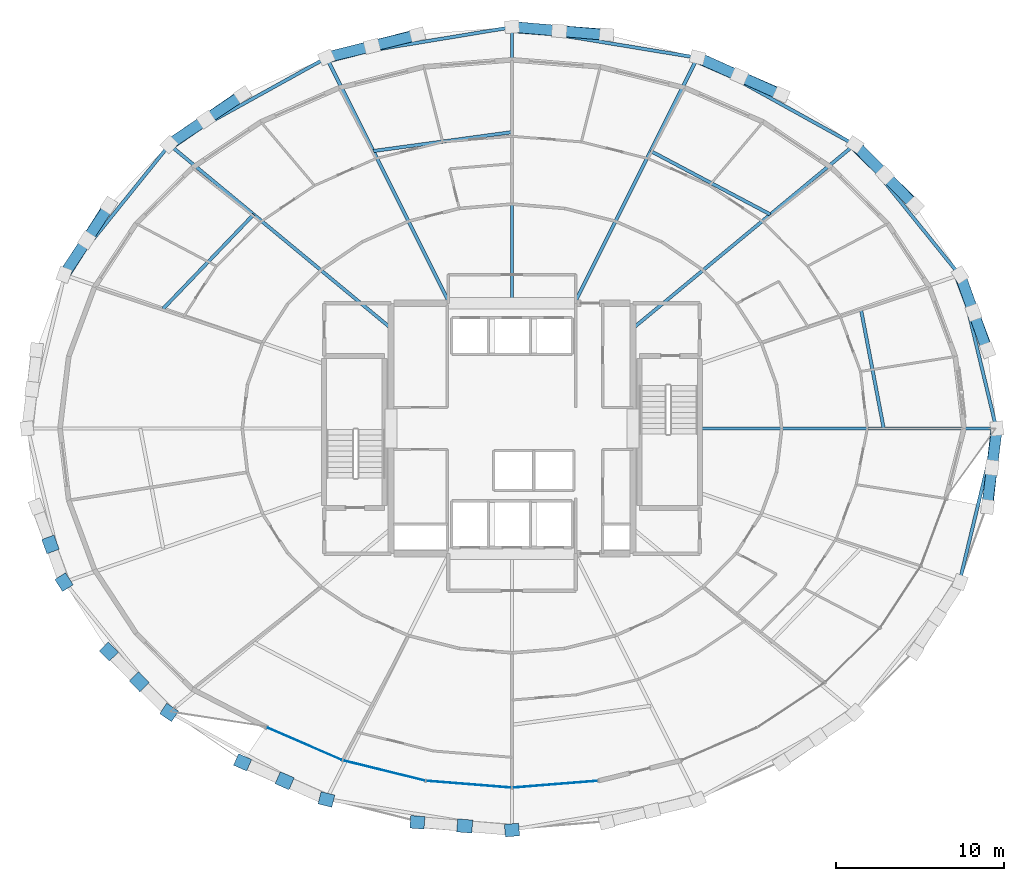
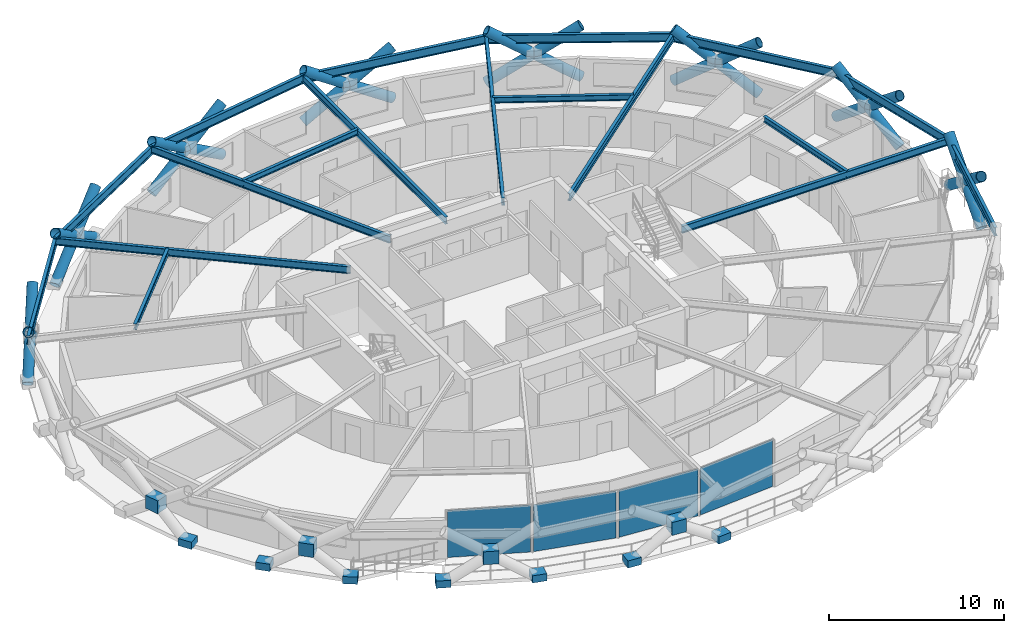
# One storey, part 12 of 21: 24 members, 18 beams, 15 plates, 1 element without a shape of its own.
"""IFC4 building model written with IfcOpenShell, lengths in metres."""

from ifc_helpers import new_model, si_unit, direction, frame, origin, origin_2d, place, context, subcontext, project, spatial, rectangle, hollow_circle, i_section, extrude, material, layer, layer_set, material_profile, profile_set, type_object, element, aggregate, save


model = new_model("IFC4")

# Units and contexts
model_context = context("Model", 3, precision=1e-05, world=origin(), true_north=direction((0.0, 1.0)))
body_context = subcontext(model_context, "Body", "Model", "MODEL_VIEW")
ifc_project = project(units=[si_unit("LENGTHUNIT", "METRE"), si_unit("AREAUNIT", "SQUARE_METRE"), si_unit("VOLUMEUNIT", "CUBIC_METRE"), si_unit("PLANEANGLEUNIT", "RADIAN"), si_unit("MASSUNIT", "GRAM", prefix="KILO")], contexts=[model_context])

# Site, building, storey
site_placement = place(None, origin())
site = spatial("IfcSite", under=ifc_project, at=site_placement, CompositionType="ELEMENT")
building_placement = place(site_placement, origin())
building = spatial("IfcBuilding", under=site, at=building_placement, Name="Veldorina Hangang Commons", CompositionType="ELEMENT")
storey_placement = place(building_placement, frame((0.0, 0.0, 98.800048828125)))
storey = spatial("IfcBuildingStorey", under=building, at=storey_placement, Name="L25", CompositionType="ELEMENT", Elevation=98.800048828125)

# Beams
ifc_material_1 = material(Name="Steel SM420-TMC", Category="steel")
ifc_material_profile_1 = material_profile(ifc_material_1, i_section(OverallWidth=0.199951171875, OverallDepth=0.5, WebThickness=0.010009765625, FlangeThickness=0.01611328125, FilletRadius=0.01611328125, at=origin_2d()), Name="H-500x200x10x16")
ifc_profile_set_1 = profile_set([ifc_material_profile_1], Name="Steel SM420-TMC")
beam_type_1 = type_object("IfcBeamType", Name="BM-FG500", PredefinedType="BEAM", material=ifc_profile_set_1)
beam_1_placement = place(storey_placement, frame((43.179931640625, 24.0, 3.08984375), z_axis=(1.0, 0.0, 0.0), x_axis=(0.0, 1.0, 0.0)))
element("IfcBeam", 1, at=beam_1_placement, inside=storey, type_object=beam_type_1, Name="L25 radial floor girder 01", PredefinedType="BEAM", context=body_context, shape_type="SweptSolid", body=[
    extrude(i_section(OverallWidth=0.199951171875, OverallDepth=0.5, WebThickness=0.010009765625, FlangeThickness=0.01611328125, FilletRadius=0.01611328125, at=origin_2d()), origin(), (0.0, 0.0, 1.0), 17.645263671875),
])
beam_2_placement = place(storey_placement, frame((39.199951171875, 29.964111328125, 3.08984375), z_axis=(0.77009662976, 0.637927253559, 0.0), x_axis=(-0.637927253559, 0.77009662976, 0.0)))
element("IfcBeam", 2, at=beam_2_placement, inside=storey, type_object=beam_type_1, Name="L25 radial floor girder 03", PredefinedType="BEAM", context=body_context, shape_type="SweptSolid", body=[
    extrude(i_section(OverallWidth=0.199951171875, OverallDepth=0.5, WebThickness=0.010009765625, FlangeThickness=0.01611328125, FilletRadius=0.01611328125, at=origin_2d()), origin(), (0.0, 0.0, 1.0), 17.117919921875),
])
beam_3_placement = place(storey_placement, frame((35.725341796875, 31.449951171875, 3.08984375), z_axis=(0.447243487209, 0.894412244521, 0.0), x_axis=(-0.894412244521, 0.447243487209, 0.0)))
element("IfcBeam", 3, at=beam_3_placement, inside=storey, type_object=beam_type_1, Name="L25 radial floor girder 04", PredefinedType="BEAM", context=body_context, shape_type="SweptSolid", body=[
    extrude(i_section(OverallWidth=0.199951171875, OverallDepth=0.5, WebThickness=0.010009765625, FlangeThickness=0.01611328125, FilletRadius=0.01611328125, at=origin_2d()), origin(), (0.0, 0.0, 1.0), 16.3349609375),
])
beam_4_placement = place(storey_placement, frame((32.0, 31.449951171875, 3.08984375), z_axis=(0.0, 1.0, 0.0), x_axis=(-1.0, 0.0, 0.0)))
element("IfcBeam", 4, at=beam_4_placement, inside=storey, type_object=beam_type_1, Name="L25 radial floor girder 05", PredefinedType="BEAM", context=body_context, shape_type="SweptSolid", body=[
    extrude(i_section(OverallWidth=0.199951171875, OverallDepth=0.5, WebThickness=0.010009765625, FlangeThickness=0.01611328125, FilletRadius=0.01611328125, at=origin_2d()), origin(), (0.0, 0.0, 1.0), 16.427734375),
])
beam_5_placement = place(storey_placement, frame((28.274658203125, 31.449951171875, 3.08984375), z_axis=(-0.447243487209, 0.894412244521, 0.0), x_axis=(-0.894412244521, -0.447243487209, 0.0)))
element("IfcBeam", 5, at=beam_5_placement, inside=storey, type_object=beam_type_1, Name="L25 radial floor girder 06", PredefinedType="BEAM", context=body_context, shape_type="SweptSolid", body=[
    extrude(i_section(OverallWidth=0.199951171875, OverallDepth=0.5, WebThickness=0.010009765625, FlangeThickness=0.01611328125, FilletRadius=0.01611328125, at=origin_2d()), origin(), (0.0, 0.0, 1.0), 16.3349609375),
])
beam_6_placement = place(storey_placement, frame((24.800048828125, 29.964111328125, 3.08984375), z_axis=(-0.77009662976, 0.637927253559, 0.0), x_axis=(-0.637927253559, -0.77009662976, 0.0)))
element("IfcBeam", 6, at=beam_6_placement, inside=storey, type_object=beam_type_1, Name="L25 radial floor girder 07", PredefinedType="BEAM", context=body_context, shape_type="SweptSolid", body=[
    extrude(i_section(OverallWidth=0.199951171875, OverallDepth=0.5, WebThickness=0.010009765625, FlangeThickness=0.01611328125, FilletRadius=0.01611328125, at=origin_2d()), origin(), (0.0, 0.0, 1.0), 17.117919921875),
])
ifc_material_2 = material(Name="Steel SM355-TMC", Category="steel")
ifc_material_profile_2 = material_profile(ifc_material_2, i_section(OverallWidth=0.199951171875, OverallDepth=0.39990234375, WebThickness=0.008056640625, FlangeThickness=0.012939453125, FilletRadius=0.012939453125, at=origin_2d()), Name="H-400x200x8x13")
ifc_profile_set_2 = profile_set([ifc_material_profile_2], Name="Steel SM355-TMC")
beam_type_2 = type_object("IfcBeamType", Name="BM-JST400", PredefinedType="JOIST", material=ifc_profile_set_2)
beam_7_placement = place(storey_placement, frame((54.1201171875, 24.0, 3.139892578125), z_axis=(-0.187621051992, 0.982241488051, 0.0), x_axis=(-0.982241488051, -0.187621051992, 0.0)))
element("IfcBeam", 7, at=beam_7_placement, inside=storey, type_object=beam_type_2, Name="L25 secondary floor joist 01", PredefinedType="JOIST", context=body_context, shape_type="SweptSolid", body=[
    extrude(i_section(OverallWidth=0.199951171875, OverallDepth=0.39990234375, WebThickness=0.008056640625, FlangeThickness=0.012939453125, FilletRadius=0.012939453125, at=origin_2d()), origin(), (0.0, 0.0, 1.0), 7.251708984375),
])
beam_8_placement = place(storey_placement, frame((47.373046875, 36.734619140625, 3.139892578125), z_axis=(-0.88351872738, 0.468395835132, 0.0), x_axis=(-0.468395835132, -0.88351872738, 0.0)))
element("IfcBeam", 8, at=beam_8_placement, inside=storey, type_object=beam_type_2, Name="L25 secondary floor joist 03", PredefinedType="JOIST", context=body_context, shape_type="SweptSolid", body=[
    extrude(i_section(OverallWidth=0.199951171875, OverallDepth=0.39990234375, WebThickness=0.008056640625, FlangeThickness=0.012939453125, FilletRadius=0.012939453125, at=origin_2d()), origin(), (0.0, 0.0, 1.0), 8.056640625),
])
beam_9_placement = place(storey_placement, frame((32.0, 41.635009765625, 3.139892578125), z_axis=(-0.990813398521, -0.135236124281, 0.0), x_axis=(0.135236124281, -0.990813398521, 0.0)))
element("IfcBeam", 9, at=beam_9_placement, inside=storey, type_object=beam_type_2, Name="L25 secondary floor joist 05", PredefinedType="JOIST", context=body_context, shape_type="SweptSolid", body=[
    extrude(i_section(OverallWidth=0.199951171875, OverallDepth=0.39990234375, WebThickness=0.008056640625, FlangeThickness=0.012939453125, FilletRadius=0.012939453125, at=origin_2d()), origin(), (0.0, 0.0, 1.0), 8.331298828125),
])
beam_10_placement = place(storey_placement, frame((16.626953125, 36.734619140625, 3.139892578125), z_axis=(-0.692489359274, -0.721428088788, 0.0), x_axis=(0.721428088788, -0.692489359274, 0.0)))
element("IfcBeam", 10, at=beam_10_placement, inside=storey, type_object=beam_type_2, Name="L25 secondary floor joist 07", PredefinedType="JOIST", context=body_context, shape_type="SweptSolid", body=[
    extrude(i_section(OverallWidth=0.199951171875, OverallDepth=0.39990234375, WebThickness=0.008056640625, FlangeThickness=0.012939453125, FilletRadius=0.012939453125, at=origin_2d()), origin(), (0.0, 0.0, 1.0), 7.7783203125),
])
ifc_material_profile_3 = material_profile(ifc_material_1, i_section(OverallWidth=0.199951171875, OverallDepth=0.60009765625, WebThickness=0.010986328125, FlangeThickness=0.01708984375, FilletRadius=0.01806640625, at=origin_2d()), Name="H-600x200x11x17")
ifc_profile_set_3 = profile_set([ifc_material_profile_3], Name="Steel SM420-TMC")
beam_type_3 = type_object("IfcBeamType", Name="BM-RB600", PredefinedType="BEAM", material=ifc_profile_set_3)
beam_11_placement = place(storey_placement, frame((60.8251953125, 24.0, 3.0400390625), z_axis=(-0.233502650774, 0.972356165241, 0.0), x_axis=(-0.972356165241, -0.233502650774, 0.0)))
element("IfcBeam", 11, at=beam_11_placement, inside=storey, type_object=beam_type_3, Name="L25 perimeter hoop ring beam 00", PredefinedType="BEAM", context=body_context, shape_type="SweptSolid", body=[
    extrude(i_section(OverallWidth=0.199951171875, OverallDepth=0.60009765625, WebThickness=0.010986328125, FlangeThickness=0.01708984375, FilletRadius=0.01806640625, at=origin_2d()), origin(), (0.0, 0.0, 1.0), 9.3974609375),
])
beam_12_placement = place(storey_placement, frame((58.630859375, 33.1376953125, 3.0400390625), z_axis=(-0.627843068855, 0.778339952008, 0.0), x_axis=(-0.778339952008, -0.627843068855, 0.0)))
element("IfcBeam", 12, at=beam_12_placement, inside=storey, type_object=beam_type_3, Name="L25 perimeter hoop ring beam 02", PredefinedType="BEAM", context=body_context, shape_type="SweptSolid", body=[
    extrude(i_section(OverallWidth=0.199951171875, OverallDepth=0.60009765625, WebThickness=0.010986328125, FlangeThickness=0.01708984375, FilletRadius=0.01806640625, at=origin_2d()), origin(), (0.0, 0.0, 1.0), 9.952392578125),
])
beam_13_placement = place(storey_placement, frame((52.38232421875, 40.884033203125, 3.0400390625), z_axis=(-0.874916885273, 0.484273108756, 0.0), x_axis=(-0.484273108756, -0.874916885273, 0.0)))
element("IfcBeam", 13, at=beam_13_placement, inside=storey, type_object=beam_type_3, Name="L25 perimeter hoop ring beam 04", PredefinedType="BEAM", context=body_context, shape_type="SweptSolid", body=[
    extrude(i_section(OverallWidth=0.199951171875, OverallDepth=0.60009765625, WebThickness=0.010986328125, FlangeThickness=0.01708984375, FilletRadius=0.01806640625, at=origin_2d()), origin(), (0.0, 0.0, 1.0), 10.688232421875),
])
for number, where, z_axis, x_axis, name in (
    (14, (43.031005859375, 46.06005859375, 3.0400390625), (-0.986695028377, 0.162582043828, 0.0), (-0.162582043828, -0.986695028377, 0.0), "L25 perimeter hoop ring beam 06"),
    (15, (32.0, 47.877685546875, 3.0400390625), (-0.986695028377, -0.162582043828, 0.0), (0.162582043828, -0.986695028377, 0.0), "L25 perimeter hoop ring beam 08"),
):
    element("IfcBeam", number, at=place(storey_placement, frame(where, z_axis=z_axis, x_axis=x_axis)), inside=storey, type_object=beam_type_3, Name=name, PredefinedType="BEAM", context=body_context, shape_type="SweptSolid", body=[
        extrude(i_section(OverallWidth=0.199951171875, OverallDepth=0.60009765625, WebThickness=0.010986328125, FlangeThickness=0.01708984375, FilletRadius=0.01806640625, at=origin_2d()), origin(), (0.0, 0.0, 1.0), 11.1796875),
    ])
beam_14_placement = place(storey_placement, frame((20.968994140625, 46.06005859375, 3.0400390625), z_axis=(-0.874916885273, -0.484273108756, 0.0), x_axis=(0.484273108756, -0.874916885273, 0.0)))
element("IfcBeam", 16, at=beam_14_placement, inside=storey, type_object=beam_type_3, Name="L25 perimeter hoop ring beam 10", PredefinedType="BEAM", context=body_context, shape_type="SweptSolid", body=[
    extrude(i_section(OverallWidth=0.199951171875, OverallDepth=0.60009765625, WebThickness=0.010986328125, FlangeThickness=0.01708984375, FilletRadius=0.01806640625, at=origin_2d()), origin(), (0.0, 0.0, 1.0), 10.688232421875),
])
beam_15_placement = place(storey_placement, frame((11.61767578125, 40.884033203125, 3.0400390625), z_axis=(-0.627843068855, -0.778339952008, 0.0), x_axis=(0.778339952008, -0.627843068855, 0.0)))
element("IfcBeam", 17, at=beam_15_placement, inside=storey, type_object=beam_type_3, Name="L25 perimeter hoop ring beam 12", PredefinedType="BEAM", context=body_context, shape_type="SweptSolid", body=[
    extrude(i_section(OverallWidth=0.199951171875, OverallDepth=0.60009765625, WebThickness=0.010986328125, FlangeThickness=0.01708984375, FilletRadius=0.01806640625, at=origin_2d()), origin(), (0.0, 0.0, 1.0), 9.952392578125),
])
beam_16_placement = place(storey_placement, frame((58.630859375, 14.8623046875, 3.0400390625), z_axis=(0.233502650774, 0.972356165241, 0.0), x_axis=(-0.972356165241, 0.233502650774, 0.0)))
element("IfcBeam", 18, at=beam_16_placement, inside=storey, type_object=beam_type_3, Name="L25 perimeter hoop ring beam 30", PredefinedType="BEAM", context=body_context, shape_type="SweptSolid", body=[
    extrude(i_section(OverallWidth=0.199951171875, OverallDepth=0.60009765625, WebThickness=0.010986328125, FlangeThickness=0.01708984375, FilletRadius=0.01806640625, at=origin_2d()), origin(), (0.0, 0.0, 1.0), 9.3974609375),
])

# Members
ifc_material_3 = material(Name="Steel SM460-TMC", Category="steel")
ifc_material_profile_4 = material_profile(ifc_material_3, hollow_circle(Radius=0.324951171875, WallThickness=0.031982421875, at=origin_2d()), Name="CHS-650x32")
ifc_profile_set_4 = profile_set([ifc_material_profile_4], Name="Steel SM460-TMC")
member_type = type_object("IfcMemberType", Name="DG-CHS650", PredefinedType="BRACE", material=ifc_profile_set_4)
member_1_placement = place(storey_placement, frame((60.300537109375, 28.662353515625, 0.0), z_axis=(-0.28000149249, 0.747922353992, 0.601839942677), x_axis=(-0.936522270003, -0.350608097152, 0.0)))
element("IfcMember", 19, at=member_1_placement, inside=storey, type_object=member_type, Name="L25 continuous perimeter diagrid brace 01", PredefinedType="BRACE", context=body_context, shape_type="SweptSolid", body=[
    extrude(hollow_circle(Radius=0.324951171875, WallThickness=0.031982421875, at=origin_2d()), origin(), (0.0, 0.0, 1.0), 5.9814453125),
])
member_2_placement = place(storey_placement, frame((58.658447265625, 33.1455078125, 0.0), z_axis=(0.269176017376, -0.751242080665, 0.602643848311), x_axis=(0.941393999899, 0.337308963644, 0.0)))
element("IfcMember", 20, at=member_2_placement, inside=storey, type_object=member_type, Name="L25 split perimeter diagrid lower brace 02", PredefinedType="BRACE", context=body_context, shape_type="SweptSolid", body=[
    extrude(hollow_circle(Radius=0.324951171875, WallThickness=0.031982421875, at=origin_2d()), origin(), (0.0, 0.0, 1.0), 2.988525390625),
])
member_3_placement = place(storey_placement, frame((59.462890625, 30.900390625, 1.801025390625), z_axis=(0.26898910338, -0.751353874355, 0.602587933629), x_axis=(0.941484276479, 0.337056904903, 0.0)))
element("IfcMember", 21, at=member_3_placement, inside=storey, type_object=member_type, Name="L25 split perimeter diagrid upper brace 02", PredefinedType="BRACE", context=body_context, shape_type="SweptSolid", body=[
    extrude(hollow_circle(Radius=0.324951171875, WallThickness=0.031982421875, at=origin_2d()), origin(), (0.0, 0.0, 1.0), 2.985107421875),
])
member_4_placement = place(storey_placement, frame((55.9921875, 37.27734375, 0.0), z_axis=(-0.578613430818, 0.577049822033, 0.5763852883), x_axis=(-0.706149421574, -0.708062846371, 0.0)))
element("IfcMember", 22, at=member_4_placement, inside=storey, type_object=member_type, Name="L25 continuous perimeter diagrid brace 03", PredefinedType="BRACE", context=body_context, shape_type="SweptSolid", body=[
    extrude(hollow_circle(Radius=0.324951171875, WallThickness=0.031982421875, at=origin_2d()), origin(), (0.0, 0.0, 1.0), 6.24560546875),
])
member_5_placement = place(storey_placement, frame((52.403564453125, 40.898681640625, 0.0), z_axis=(0.57114328786, -0.58320197532, 0.577642450582), x_axis=(0.71445447996, 0.699681924924, 0.0)))
element("IfcMember", 23, at=member_5_placement, inside=storey, type_object=member_type, Name="L25 split perimeter diagrid lower brace 04", PredefinedType="BRACE", context=body_context, shape_type="SweptSolid", body=[
    extrude(hollow_circle(Radius=0.324951171875, WallThickness=0.031982421875, at=origin_2d()), origin(), (0.0, 0.0, 1.0), 3.117919921875),
])
member_6_placement = place(storey_placement, frame((54.184326171875, 39.080322265625, 1.801025390625), z_axis=(0.571004506302, -0.583390381096, 0.577589401762), x_axis=(0.714652424111, 0.699479744319, 0.0)))
element("IfcMember", 24, at=member_6_placement, inside=storey, type_object=member_type, Name="L25 split perimeter diagrid upper brace 04", PredefinedType="BRACE", context=body_context, shape_type="SweptSolid", body=[
    extrude(hollow_circle(Radius=0.324951171875, WallThickness=0.031982421875, at=origin_2d()), origin(), (0.0, 0.0, 1.0), 3.1142578125),
])
member_7_placement = place(storey_placement, frame((48.031005859375, 43.870849609375, 0.0), z_axis=(-0.764987730246, 0.334236427408, 0.550526823294), x_axis=(-0.40037066467, -0.91635327842, 0.0)))
element("IfcMember", 25, at=member_7_placement, inside=storey, type_object=member_type, Name="L25 continuous perimeter diagrid brace 05", PredefinedType="BRACE", context=body_context, shape_type="SweptSolid", body=[
    extrude(hollow_circle(Radius=0.324951171875, WallThickness=0.031982421875, at=origin_2d()), origin(), (0.0, 0.0, 1.0), 6.538818359375),
])
member_8_placement = place(storey_placement, frame((43.042236328125, 46.079345703125, 0.0), z_axis=(0.761174589321, -0.34138115972, 0.551427373605), x_axis=(0.409220555506, 0.91243549742, 0.0)))
element("IfcMember", 26, at=member_8_placement, inside=storey, type_object=member_type, Name="L25 split perimeter diagrid lower brace 06", PredefinedType="BRACE", context=body_context, shape_type="SweptSolid", body=[
    extrude(hollow_circle(Radius=0.324951171875, WallThickness=0.031982421875, at=origin_2d()), origin(), (0.0, 0.0, 1.0), 3.26611328125),
])
member_9_placement = place(storey_placement, frame((45.5283203125, 44.96435546875, 1.801025390625), z_axis=(0.761125864052, -0.341496294756, 0.551423339856), x_axis=(0.409357261843, 0.912374173339, 0.0)))
element("IfcMember", 27, at=member_9_placement, inside=storey, type_object=member_type, Name="L25 split perimeter diagrid upper brace 06", PredefinedType="BRACE", context=body_context, shape_type="SweptSolid", body=[
    extrude(hollow_circle(Radius=0.324951171875, WallThickness=0.031982421875, at=origin_2d()), origin(), (0.0, 0.0, 1.0), 3.26220703125),
])
member_10_placement = place(storey_placement, frame((37.62939453125, 47.439208984375, 0.0), z_axis=(-0.84069633522, 0.064898927777, 0.537603758471), x_axis=(-0.076967637826, -0.997033591574, 0.0)))
element("IfcMember", 28, at=member_10_placement, inside=storey, type_object=member_type, Name="L25 continuous perimeter diagrid brace 07", PredefinedType="BRACE", context=body_context, shape_type="SweptSolid", body=[
    extrude(hollow_circle(Radius=0.324951171875, WallThickness=0.031982421875, at=origin_2d()), origin(), (0.0, 0.0, 1.0), 6.696044921875),
])
member_11_placement = place(storey_placement, frame((32.0, 47.8984375, 0.0), z_axis=(0.839973772722, -0.072245617841, 0.537796087604), x_axis=(0.085692995625, 0.9963215899, 0.0)))
element("IfcMember", 29, at=member_11_placement, inside=storey, type_object=member_type, Name="L25 split perimeter diagrid lower brace 08", PredefinedType="BRACE", context=body_context, shape_type="SweptSolid", body=[
    extrude(hollow_circle(Radius=0.324951171875, WallThickness=0.031982421875, at=origin_2d()), origin(), (0.0, 0.0, 1.0), 3.348876953125),
])
member_12_placement = place(storey_placement, frame((34.81298828125, 47.656494140625, 1.801025390625), z_axis=(0.83995700534, -0.072192359284, 0.537829426901), x_axis=(0.085631984044, 0.996326835586, 0.0)))
element("IfcMember", 30, at=member_12_placement, inside=storey, type_object=member_type, Name="L25 split perimeter diagrid upper brace 08", PredefinedType="BRACE", context=body_context, shape_type="SweptSolid", body=[
    extrude(hollow_circle(Radius=0.324951171875, WallThickness=0.031982421875, at=origin_2d()), origin(), (0.0, 0.0, 1.0), 3.3447265625),
])
member_13_placement = place(storey_placement, frame((26.37060546875, 47.439208984375, 0.0), z_axis=(-0.813763107309, -0.20840813166, 0.542545533427), x_axis=(0.248097122806, -0.968735163838, 0.0)))
element("IfcMember", 31, at=member_13_placement, inside=storey, type_object=member_type, Name="L25 continuous perimeter diagrid brace 09", PredefinedType="BRACE", context=body_context, shape_type="SweptSolid", body=[
    extrude(hollow_circle(Radius=0.324951171875, WallThickness=0.031982421875, at=origin_2d()), origin(), (0.0, 0.0, 1.0), 6.635009765625),
])
member_14_placement = place(storey_placement, frame((20.957763671875, 46.079345703125, 0.0), z_axis=(0.81598027684, 0.201019452317, 0.542003106631), x_axis=(-0.239201663176, 0.970969909077, 0.0)))
element("IfcMember", 32, at=member_14_placement, inside=storey, type_object=member_type, Name="L25 split perimeter diagrid lower brace 10", PredefinedType="BRACE", context=body_context, shape_type="SweptSolid", body=[
    extrude(hollow_circle(Radius=0.324951171875, WallThickness=0.031982421875, at=origin_2d()), origin(), (0.0, 0.0, 1.0), 3.322998046875),
])
member_15_placement = place(storey_placement, frame((23.669189453125, 46.747314453125, 1.801025390625), z_axis=(0.815990143337, 0.201165769067, 0.541933962151), x_axis=(-0.239363070997, 0.970930131494, 0.0)))
element("IfcMember", 33, at=member_15_placement, inside=storey, type_object=member_type, Name="L25 split perimeter diagrid upper brace 10", PredefinedType="BRACE", context=body_context, shape_type="SweptSolid", body=[
    extrude(hollow_circle(Radius=0.324951171875, WallThickness=0.031982421875, at=origin_2d()), origin(), (0.0, 0.0, 1.0), 3.3193359375),
])
member_16_placement = place(storey_placement, frame((15.968994140625, 43.870849609375, 0.0), z_axis=(-0.680646637663, -0.468047289167, 0.563606147714), x_axis=(0.566613265126, -0.823983863788, 0.0)))
element("IfcMember", 34, at=member_16_placement, inside=storey, type_object=member_type, Name="L25 continuous perimeter diagrid brace 11", PredefinedType="BRACE", context=body_context, shape_type="SweptSolid", body=[
    extrude(hollow_circle(Radius=0.324951171875, WallThickness=0.031982421875, at=origin_2d()), origin(), (0.0, 0.0, 1.0), 6.38720703125),
])
member_17_placement = place(storey_placement, frame((11.596435546875, 40.898681640625, 0.0), z_axis=(0.686287030399, 0.461133647356, 0.562464106572), x_axis=(-0.557718363697, 0.830030256554, 0.0)))
element("IfcMember", 35, at=member_17_placement, inside=storey, type_object=member_type, Name="L25 split perimeter diagrid lower brace 12", PredefinedType="BRACE", context=body_context, shape_type="SweptSolid", body=[
    extrude(hollow_circle(Radius=0.324951171875, WallThickness=0.031982421875, at=origin_2d()), origin(), (0.0, 0.0, 1.0), 3.2021484375),
])
member_18_placement = place(storey_placement, frame((13.7939453125, 42.375244140625, 1.801025390625), z_axis=(0.686252967808, 0.461216955672, 0.562437360046), x_axis=(-0.557806846394, 0.829970795942, 0.0)))
element("IfcMember", 36, at=member_18_placement, inside=storey, type_object=member_type, Name="L25 split perimeter diagrid upper brace 12", PredefinedType="BRACE", context=body_context, shape_type="SweptSolid", body=[
    extrude(hollow_circle(Radius=0.324951171875, WallThickness=0.031982421875, at=origin_2d()), origin(), (0.0, 0.0, 1.0), 3.1982421875),
])
member_19_placement = place(storey_placement, frame((8.0078125, 37.27734375, 0.0), z_axis=(-0.432687058763, -0.68041814942, 0.591449956564), x_axis=(0.843833505431, -0.536605083009, 0.0)))
element("IfcMember", 37, at=member_19_placement, inside=storey, type_object=member_type, Name="L25 continuous perimeter diagrid brace 13", PredefinedType="BRACE", context=body_context, shape_type="SweptSolid", body=[
    extrude(hollow_circle(Radius=0.324951171875, WallThickness=0.031982421875, at=origin_2d()), origin(), (0.0, 0.0, 1.0), 6.08642578125),
])
member_20_placement = place(storey_placement, frame((5.341552734375, 33.1455078125, 0.0), z_axis=(0.44208335487, 0.675289527225, 0.590378151498), x_axis=(-0.836658557679, 0.547724801211, 0.0)))
element("IfcMember", 38, at=member_20_placement, inside=storey, type_object=member_type, Name="L25 split perimeter diagrid lower brace 14", PredefinedType="BRACE", context=body_context, shape_type="SweptSolid", body=[
    extrude(hollow_circle(Radius=0.324951171875, WallThickness=0.031982421875, at=origin_2d()), origin(), (0.0, 0.0, 1.0), 3.050537109375),
])
member_21_placement = place(storey_placement, frame((6.690185546875, 35.20556640625, 1.801025390625), z_axis=(0.442100050826, 0.67532825814, 0.590321343691), x_axis=(-0.836663473972, 0.54771729142, 0.0)))
element("IfcMember", 39, at=member_21_placement, inside=storey, type_object=member_type, Name="L25 split perimeter diagrid upper brace 14", PredefinedType="BRACE", context=body_context, shape_type="SweptSolid", body=[
    extrude(hollow_circle(Radius=0.324951171875, WallThickness=0.031982421875, at=origin_2d()), origin(), (0.0, 0.0, 1.0), 3.047119140625),
])
member_22_placement = place(storey_placement, frame((60.300537109375, 19.337646484375, 0.0), z_axis=(0.087777056059, 0.788465869969, 0.608783015798), x_axis=(-0.993860229503, 0.110642867881, 0.0)))
element("IfcMember", 40, at=member_22_placement, inside=storey, type_object=member_type, Name="L25 continuous perimeter diagrid brace 31", PredefinedType="BRACE", context=body_context, shape_type="SweptSolid", body=[
    extrude(hollow_circle(Radius=0.324951171875, WallThickness=0.031982421875, at=origin_2d()), origin(), (0.0, 0.0, 1.0), 5.9130859375),
])
member_23_placement = place(storey_placement, frame((60.85498046875, 24.0, 0.0), z_axis=(-0.099568562465, -0.787309329048, 0.60846538255), x_axis=(0.992097728457, -0.125467514485, 0.0)))
element("IfcMember", 41, at=member_23_placement, inside=storey, type_object=member_type, Name="L25 split perimeter diagrid lower brace 00", PredefinedType="BRACE", context=body_context, shape_type="SweptSolid", body=[
    extrude(hollow_circle(Radius=0.324951171875, WallThickness=0.031982421875, at=origin_2d()), origin(), (0.0, 0.0, 1.0), 2.95947265625),
])
member_24_placement = place(storey_placement, frame((60.560302734375, 21.669921875, 1.80078125), z_axis=(-0.099593031278, -0.787247402299, 0.608541498745), x_axis=(0.992092660822, -0.125507578826, 0.0)))
element("IfcMember", 42, at=member_24_placement, inside=storey, type_object=member_type, Name="L25 split perimeter diagrid upper brace 00", PredefinedType="BRACE", context=body_context, shape_type="SweptSolid", body=[
    extrude(hollow_circle(Radius=0.324951171875, WallThickness=0.031982421875, at=origin_2d()), origin(), (0.0, 0.0, 1.0), 2.956298828125),
])

# Curtain wall, plates
ifc_material_4 = material(Name="Glass Low-E Triple IGU", Category="glass")
ifc_layer_1 = layer(ifc_material_4, 0.179931640625)
ifc_layer_set_1 = layer_set([ifc_layer_1], Name="Glass Low-E Triple IGU")
curtain_wall_type = type_object("IfcCurtainWallType", Name="CW-SYS-Z1", PredefinedType="NOTDEFINED", material=ifc_layer_set_1)
curtain_wall_placement = place(storey_placement, origin())
curtain_wall = element("IfcCurtainWall", 43, at=curtain_wall_placement, inside=storey, type_object=curtain_wall_type, Name="L25 unitised curtain wall CW-L25-R1", PredefinedType="NOTDEFINED")
ifc_layer_2 = layer(ifc_material_4, 0.0400390625)
ifc_layer_set_2 = layer_set([ifc_layer_2], Name="Glass Low-E Triple IGU")
plate_type_1 = type_object("IfcPlateType", Name="CW-PNL-VIS", PredefinedType="CURTAIN_PANEL", material=ifc_layer_set_2)
plate_1_placement = place(storey_placement, frame((19.6455078125, 5.236572265625, 0.014892578125), z_axis=(0.0, 0.0, 1.0), x_axis=(0.917359073914, -0.398060710832, 0.0)))
plate_1 = element("IfcPlate", 44, at=plate_1_placement, type_object=plate_type_1, Name="CW-L25-R1 facet 1 glazed vision panel", PredefinedType="CURTAIN_PANEL", context=body_context, shape_type="SweptSolid", body=[
    extrude(rectangle(XDim=4.783203125, YDim=0.0400390625, at=origin_2d()), origin(), (0.0, 0.0, 1.0), 3.27001953125),
])
plate_2_placement = place(storey_placement, frame((24.39208984375, 3.640625, 0.014892578125), z_axis=(0.0, 0.0, 1.0), x_axis=(0.970996733432, -0.239092751175, 0.0)))
plate_2 = element("IfcPlate", 45, at=plate_2_placement, type_object=plate_type_1, Name="CW-L25-R1 facet 2 glazed vision panel", PredefinedType="CURTAIN_PANEL", context=body_context, shape_type="SweptSolid", body=[
    extrude(rectangle(XDim=4.907958984375, YDim=0.0400390625, at=origin_2d()), origin(), (0.0, 0.0, 1.0), 3.27001953125),
])
plate_3_placement = place(storey_placement, frame((29.43115234375, 2.826904296875, 0.014892578125), z_axis=(0.0, 0.0, 1.0), x_axis=(0.996817952017, -0.079711796718, 0.0)))
plate_3 = element("IfcPlate", 46, at=plate_3_placement, type_object=plate_type_1, Name="CW-L25-R1 facet 3 glazed vision panel", PredefinedType="CURTAIN_PANEL", context=body_context, shape_type="SweptSolid", body=[
    extrude(rectangle(XDim=4.97412109375, YDim=0.0400390625, at=origin_2d()), origin(), (0.0, 0.0, 1.0), 3.27001953125),
])
plate_4_placement = place(storey_placement, frame((34.56884765625, 2.826904296875, 0.014892578125), z_axis=(0.0, 0.0, 1.0), x_axis=(0.996817952017, 0.079711796718, 0.0)))
plate_4 = element("IfcPlate", 47, at=plate_4_placement, type_object=plate_type_1, Name="CW-L25-R1 facet 4 glazed vision panel", PredefinedType="CURTAIN_PANEL", context=body_context, shape_type="SweptSolid", body=[
    extrude(rectangle(XDim=4.97412109375, YDim=0.0400390625, at=origin_2d()), origin(), (0.0, 0.0, 1.0), 3.27001953125),
])
aggregate(curtain_wall, [plate_1, plate_2, plate_3, plate_4])

# Plates
ifc_layer_3 = layer(ifc_material_3, 0.035888671875)
ifc_layer_set_3 = layer_set([ifc_layer_3], Name="Steel SM460-TMC")
plate_type_2 = type_object("IfcPlateType", Name="PL-STAR-36", PredefinedType="USERDEFINED", material=ifc_layer_set_3)
plate_5_placement = place(storey_placement, frame((4.537109375, 17.099609375, 1.35107421875), z_axis=(0.0, 0.0, 1.0), x_axis=(0.343938314328, -0.938992244876, 0.0)))
element("IfcPlate", 48, at=plate_5_placement, inside=storey, type_object=plate_type_2, Name="L25 diagrid X-crossing star-node gusset plate 17", ObjectType="GUSSET PLATE", PredefinedType="USERDEFINED", context=body_context, shape_type="SweptSolid", body=[
    extrude(rectangle(XDim=0.89990234375, YDim=0.780029296875, at=origin_2d()), origin(), (0.0, 0.0, 1.0), 0.89990234375),
])
for number, where, z_axis, x_axis, name in (
    (49, (5.341552734375, 14.8544921875, -0.090087890625), (0.0, 0.0, 1.0), (0.542236246892, -0.84022607229, 0.0), "L25 diagrid star-node gusset plate 18"),
    (50, (8.0078125, 10.72265625, -0.090087890625), (0.0, 0.0, 1.0), (0.703865968139, -0.710332808545, 0.0), "L25 diagrid star-node gusset plate 19"),
):
    element("IfcPlate", number, at=place(storey_placement, frame(where, z_axis=z_axis, x_axis=x_axis)), inside=storey, type_object=plate_type_2, Name=name, ObjectType="GUSSET PLATE", PredefinedType="USERDEFINED", context=body_context, shape_type="SweptSolid", body=[
        extrude(rectangle(XDim=0.85009765625, YDim=0.75, at=origin_2d()), origin(), (0.0, 0.0, 1.0), 0.5),
    ])
plate_6_placement = place(storey_placement, frame((9.815673828125, 8.919677734375, 1.35107421875), z_axis=(0.0, 0.0, 1.0), x_axis=(0.703865968139, -0.710332808545, 0.0)))
element("IfcPlate", 51, at=plate_6_placement, inside=storey, type_object=plate_type_2, Name="L25 diagrid X-crossing star-node gusset plate 19", ObjectType="GUSSET PLATE", PredefinedType="USERDEFINED", context=body_context, shape_type="SweptSolid", body=[
    extrude(rectangle(XDim=0.89990234375, YDim=0.780029296875, at=origin_2d()), origin(), (0.0, 0.0, 1.0), 0.89990234375),
])
for number, where, z_axis, x_axis, name in (
    (52, (11.596435546875, 7.101318359375, -0.090087890625), (0.0, 0.0, 1.0), (0.827041331437, -0.562141117599, 0.0), "L25 diagrid star-node gusset plate 20"),
    (53, (15.968994140625, 4.129150390625, -0.090087890625), (0.0, 0.0, 1.0), (0.914409451036, -0.404790508605, 0.0), "L25 diagrid star-node gusset plate 21"),
):
    element("IfcPlate", number, at=place(storey_placement, frame(where, z_axis=z_axis, x_axis=x_axis)), inside=storey, type_object=plate_type_2, Name=name, ObjectType="GUSSET PLATE", PredefinedType="USERDEFINED", context=body_context, shape_type="SweptSolid", body=[
        extrude(rectangle(XDim=0.85009765625, YDim=0.75, at=origin_2d()), origin(), (0.0, 0.0, 1.0), 0.5),
    ])
plate_7_placement = place(storey_placement, frame((18.4716796875, 3.03564453125, 1.35107421875), z_axis=(0.0, 0.0, 1.0), x_axis=(0.914409451036, -0.404790508605, 0.0)))
element("IfcPlate", 54, at=plate_7_placement, inside=storey, type_object=plate_type_2, Name="L25 diagrid X-crossing star-node gusset plate 21", ObjectType="GUSSET PLATE", PredefinedType="USERDEFINED", context=body_context, shape_type="SweptSolid", body=[
    extrude(rectangle(XDim=0.89990234375, YDim=0.780029296875, at=origin_2d()), origin(), (0.0, 0.0, 1.0), 0.89990234375),
])
for number, where, z_axis, x_axis, name in (
    (55, (20.957763671875, 1.920654296875, -0.090087890625), (0.0, 0.0, 1.0), (0.969859258303, -0.243665793832, 0.0), "L25 diagrid star-node gusset plate 22"),
    (56, (26.37060546875, 0.560791015625, -0.090087890625), (0.0, 0.0, 1.0), (0.996690092585, -0.081294891247, 0.0), "L25 diagrid star-node gusset plate 23"),
):
    element("IfcPlate", number, at=place(storey_placement, frame(where, z_axis=z_axis, x_axis=x_axis)), inside=storey, type_object=plate_type_2, Name=name, ObjectType="GUSSET PLATE", PredefinedType="USERDEFINED", context=body_context, shape_type="SweptSolid", body=[
        extrude(rectangle(XDim=0.85009765625, YDim=0.75, at=origin_2d()), origin(), (0.0, 0.0, 1.0), 0.5),
    ])
plate_8_placement = place(storey_placement, frame((29.18701171875, 0.343505859375, 1.35107421875), z_axis=(0.0, 0.0, 1.0), x_axis=(0.996690092585, -0.081294891247, 0.0)))
element("IfcPlate", 57, at=plate_8_placement, inside=storey, type_object=plate_type_2, Name="L25 diagrid X-crossing star-node gusset plate 23", ObjectType="GUSSET PLATE", PredefinedType="USERDEFINED", context=body_context, shape_type="SweptSolid", body=[
    extrude(rectangle(XDim=0.89990234375, YDim=0.780029296875, at=origin_2d()), origin(), (0.0, 0.0, 1.0), 0.89990234375),
])
plate_9_placement = place(storey_placement, frame((32.0, 0.1015625, -0.090087890625), z_axis=(0.0, 0.0, 1.0), x_axis=(0.996690092585, 0.081294891247, 0.0)))
element("IfcPlate", 58, at=plate_9_placement, inside=storey, type_object=plate_type_2, Name="L25 diagrid star-node gusset plate 24", ObjectType="GUSSET PLATE", PredefinedType="USERDEFINED", context=body_context, shape_type="SweptSolid", body=[
    extrude(rectangle(XDim=0.85009765625, YDim=0.75, at=origin_2d()), origin(), (0.0, 0.0, 1.0), 0.5),
])

save(model, "model.ifc")
